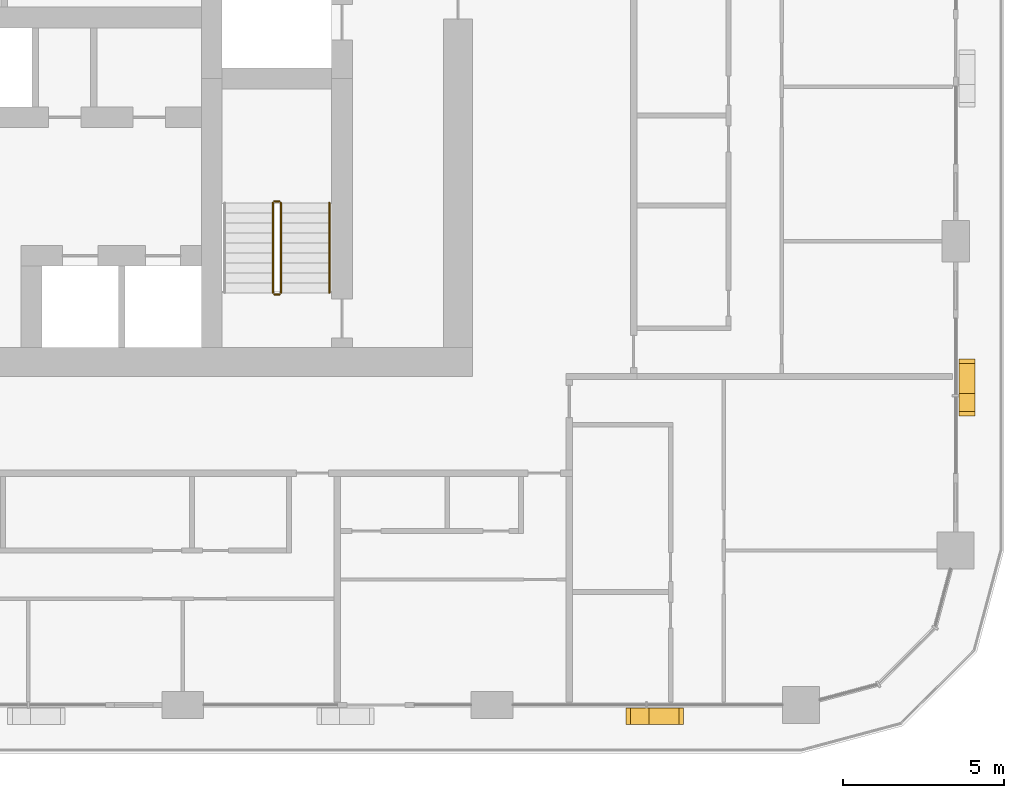
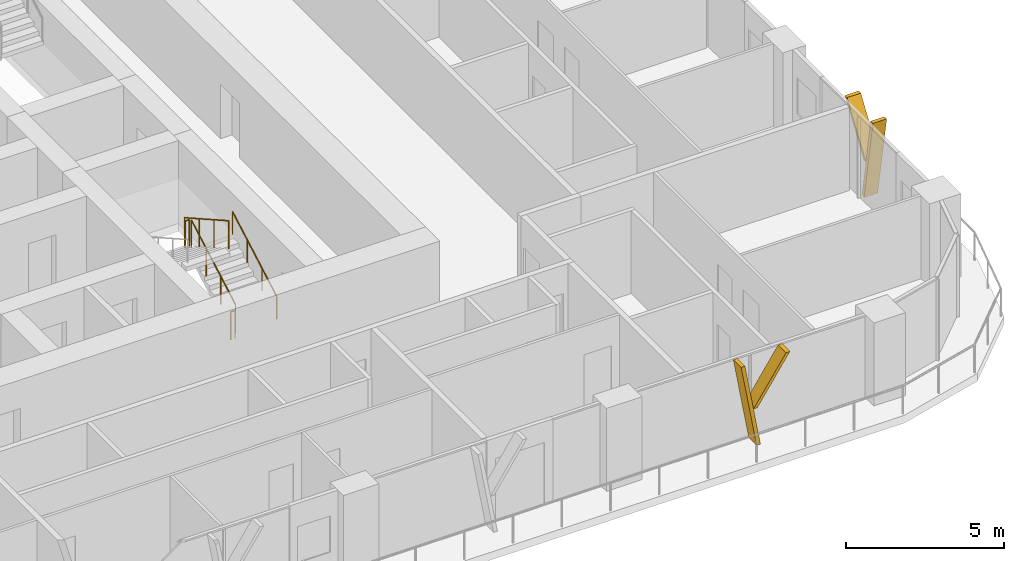
# One storey, part 18 of 21: 5 railings, 4 shading devices.
"""IFC4 building model written with IfcOpenShell, lengths in metres."""

from ifc_helpers import new_model, si_unit, direction, frame, origin, origin_2d, place, context, subcontext, project, spatial, polyline, circle, outline, extrude, material, type_object, element, save


model = new_model("IFC4")

# Units and contexts
model_context = context("Model", 3, precision=1e-05, world=origin(), true_north=direction((0.0, 1.0)))
body_context = subcontext(model_context, "Body", "Model", "MODEL_VIEW")
ifc_project = project(units=[si_unit("LENGTHUNIT", "METRE"), si_unit("AREAUNIT", "SQUARE_METRE"), si_unit("VOLUMEUNIT", "CUBIC_METRE"), si_unit("PLANEANGLEUNIT", "RADIAN"), si_unit("MASSUNIT", "GRAM", prefix="KILO")], contexts=[model_context])

# Site, building, storey
site_placement = place(None, origin())
site = spatial("IfcSite", under=ifc_project, at=site_placement, CompositionType="ELEMENT")
building_placement = place(site_placement, origin())
building = spatial("IfcBuilding", under=site, at=building_placement, Name="Madar Terraces", CompositionType="ELEMENT")
storey_placement = place(building_placement, frame((0.0, 0.0, 89.199951171875)))
storey = spatial("IfcBuildingStorey", under=building, at=storey_placement, Name="L22", CompositionType="ELEMENT", Elevation=89.199951171875)

# Shading devices
ifc_material_1 = material(Name="Aluminium, black anodised", Category="aluminium")
shading_device_type = type_object("IfcShadingDeviceType", Name="Facade fin blade 140 x 500", PredefinedType="USERDEFINED", material=ifc_material_1)
shading_device_1_placement = place(storey_placement, frame((52.72998046875, 4.449951171875, 0.0), z_axis=(0.0, 0.0, 1.0), x_axis=(1.0, 0.0, 0.0)))
element("IfcShadingDevice", 1, at=shading_device_1_placement, inside=storey, type_object=shading_device_type, Name="FIN L22 S5", ObjectType="FIN", PredefinedType="USERDEFINED", context=body_context, shape_type="SweptSolid", body=[
    extrude(outline(polyline([(0.0, 0.0), (0.14013671875, 0.0), (-0.42431640625, 3.199951171875), (-0.564208984375, 3.199951171875), (0.0, 0.0)])), frame((0.0, 0.25, 0.0), z_axis=(0.0, -1.0, 0.0), x_axis=(1.0, 0.0, 0.0)), (0.0, 0.0, 1.0), 0.5),
])
shading_device_2_placement = place(storey_placement, frame((52.6162109375, 4.449951171875, 1.43994140625), z_axis=(0.0, 0.0, 1.0), x_axis=(1.0, 0.0, 0.0)))
element("IfcShadingDevice", 2, at=shading_device_2_placement, inside=storey, type_object=shading_device_type, Name="FIN L22 S5 branch", ObjectType="FIN", PredefinedType="USERDEFINED", context=body_context, shape_type="SweptSolid", body=[
    extrude(outline(polyline([(0.0, 0.0), (0.139892578125, 0.0), (1.32958984375, 1.760009765625), (1.189697265625, 1.760009765625), (0.0, 0.0)])), frame((0.0, 0.25, 0.0), z_axis=(0.0, -1.0, 0.0), x_axis=(1.0, 0.0, 0.0)), (0.0, 0.0, 1.0), 0.5),
])
shading_device_3_placement = place(storey_placement, frame((62.75, 14.330078125, 0.0), z_axis=(0.0, 0.0, 1.0), x_axis=(0.0, 1.0, 0.0)))
element("IfcShadingDevice", 3, at=shading_device_3_placement, inside=storey, type_object=shading_device_type, Name="FIN L22 E1", ObjectType="FIN", PredefinedType="USERDEFINED", context=body_context, shape_type="SweptSolid", body=[
    extrude(outline(polyline([(0.0, 0.0), (0.139892578125, 0.0), (-0.42431640625, 3.199951171875), (-0.564208984375, 3.199951171875), (0.0, 0.0)])), frame((0.0, 0.25, 0.0), z_axis=(0.0, -1.0, 0.0), x_axis=(1.0, 0.0, 0.0)), (0.0, 0.0, 1.0), 0.5),
])
shading_device_4_placement = place(storey_placement, frame((62.75, 14.216064453125, 1.43994140625), z_axis=(0.0, 0.0, 1.0), x_axis=(0.0, 1.0, 0.0)))
element("IfcShadingDevice", 4, at=shading_device_4_placement, inside=storey, type_object=shading_device_type, Name="FIN L22 E1 branch", ObjectType="FIN", PredefinedType="USERDEFINED", context=body_context, shape_type="SweptSolid", body=[
    extrude(outline(polyline([(0.0, 0.0), (0.14013671875, 0.0), (1.32958984375, 1.760009765625), (1.189697265625, 1.760009765625), (0.0, 0.0)])), frame((0.0, 0.25, 0.0), z_axis=(0.0, -1.0, 0.0), x_axis=(1.0, 0.0, 0.0)), (0.0, 0.0, 1.0), 0.5),
])

# Railings
ifc_material_2 = material(Name="Stainless steel railing", Category="steel")
railing_type_1 = type_object("IfcRailingType", Name="Stair guard 1100", PredefinedType="GUARDRAIL", material=ifc_material_2)
railing_1_placement = place(storey_placement, frame((41.449951171875, 17.60009765625, 0.175048828125)))
element("IfcRailing", 5, at=railing_1_placement, inside=storey, type_object=railing_type_1, Name="L22 ST3 stair guard 1", PredefinedType="GUARDRAIL", context=body_context, shape_type="SweptSolid", body=[
    extrude(circle(Radius=0.02392578125, at=origin_2d()), frame((0.0, 0.0, 1.076171875), z_axis=(0.0, 0.870815363784, 0.491610213684), x_axis=(-1.0, 0.0, 0.0)), (0.0, 0.0, 1.0), 3.20361328125),
    extrude(circle(Radius=0.02099609375, at=origin_2d()), origin(), (0.0, 0.0, 1.0), 1.052001953125),
    extrude(circle(Radius=0.02099609375, at=origin_2d()), frame((0.0, 0.929931640625, 0.52490234375)), (0.0, 0.0, 1.0), 1.052001953125),
    extrude(circle(Radius=0.02099609375, at=origin_2d()), frame((0.0, 1.85986328125, 1.050048828125)), (0.0, 0.0, 1.0), 1.052001953125),
    extrude(circle(Radius=0.02099609375, at=origin_2d()), frame((0.0, 2.789794921875, 1.574951171875)), (0.0, 0.0, 1.0), 1.052001953125),
])
railing_2_placement = place(storey_placement, frame((41.39990234375, 20.43994140625, 1.75)))
element("IfcRailing", 6, at=railing_2_placement, inside=storey, type_object=railing_type_1, Name="L22 ST3 stair guard 2", PredefinedType="GUARDRAIL", context=body_context, shape_type="SweptSolid", body=[
    extrude(circle(Radius=0.02392578125, at=origin_2d()), frame((0.0, 0.0, 1.076171875), z_axis=(-1.0, 0.0, 0.0), x_axis=(0.0, -1.0, 0.0)), (0.0, 0.0, 1.0), 0.14990234375),
    extrude(circle(Radius=0.02099609375, at=origin_2d()), origin(), (0.0, 0.0, 1.0), 1.052001953125),
    extrude(circle(Radius=0.02099609375, at=origin_2d()), frame((-0.14990234375, 0.0, 0.0)), (0.0, 0.0, 1.0), 1.052001953125),
])
railing_3_placement = place(storey_placement, frame((41.199951171875, 20.389892578125, 1.925048828125)))
element("IfcRailing", 7, at=railing_3_placement, inside=storey, type_object=railing_type_1, Name="L22 ST3 stair guard 3", PredefinedType="GUARDRAIL", context=body_context, shape_type="SweptSolid", body=[
    extrude(circle(Radius=0.02392578125, at=origin_2d()), frame((0.0, 0.0, 1.076171875), z_axis=(0.0, -0.870815363784, 0.491610213684), x_axis=(1.0, 0.0, 0.0)), (0.0, 0.0, 1.0), 3.20361328125),
    extrude(circle(Radius=0.02099609375, at=origin_2d()), origin(), (0.0, 0.0, 1.0), 1.052001953125),
    extrude(circle(Radius=0.02099609375, at=origin_2d()), frame((0.0, -0.929931640625, 0.52490234375)), (0.0, 0.0, 1.0), 1.052001953125),
    extrude(circle(Radius=0.02099609375, at=origin_2d()), frame((0.0, -1.85986328125, 1.050048828125)), (0.0, 0.0, 1.0), 1.052001953125),
    extrude(circle(Radius=0.02099609375, at=origin_2d()), frame((0.0, -2.789794921875, 1.574951171875)), (0.0, 0.0, 1.0), 1.052001953125),
])
railing_4_placement = place(storey_placement, frame((41.39990234375, 17.550048828125, 0.0)))
element("IfcRailing", 8, at=railing_4_placement, inside=storey, type_object=railing_type_1, Name="L22 ST3 stair guard 4", PredefinedType="GUARDRAIL", context=body_context, shape_type="SweptSolid", body=[
    extrude(circle(Radius=0.02392578125, at=origin_2d()), frame((0.0, 0.0, 1.076171875), z_axis=(-1.0, 0.0, 0.0), x_axis=(0.0, -1.0, 0.0)), (0.0, 0.0, 1.0), 0.14990234375),
    extrude(circle(Radius=0.02099609375, at=origin_2d()), origin(), (0.0, 0.0, 1.0), 1.052001953125),
    extrude(circle(Radius=0.02099609375, at=origin_2d()), frame((-0.14990234375, 0.0, 0.0)), (0.0, 0.0, 1.0), 1.052001953125),
])
ifc_material_3 = material(Name="Stainless steel railing", Category="steel")
railing_type_2 = type_object("IfcRailingType", Name="Stair handrail 900", PredefinedType="HANDRAIL", material=ifc_material_3)
railing_5_placement = place(storey_placement, frame((42.949951171875, 17.60009765625, 0.175048828125)))
element("IfcRailing", 9, at=railing_5_placement, inside=storey, type_object=railing_type_2, Name="L22 ST3 stair handrail 1", PredefinedType="HANDRAIL", context=body_context, shape_type="SweptSolid", body=[
    extrude(circle(Radius=0.02392578125, at=origin_2d()), frame((0.0, 0.0, 0.8759765625), z_axis=(0.0, 0.870815363784, 0.491610213684), x_axis=(-1.0, 0.0, 0.0)), (0.0, 0.0, 1.0), 3.20361328125),
    extrude(circle(Radius=0.02099609375, at=origin_2d()), origin(), (0.0, 0.0, 1.0), 0.851806640625),
    extrude(circle(Radius=0.02099609375, at=origin_2d()), frame((0.0, 0.929931640625, 0.52490234375)), (0.0, 0.0, 1.0), 0.851806640625),
    extrude(circle(Radius=0.02099609375, at=origin_2d()), frame((0.0, 1.85986328125, 1.050048828125)), (0.0, 0.0, 1.0), 0.851806640625),
    extrude(circle(Radius=0.02099609375, at=origin_2d()), frame((0.0, 2.789794921875, 1.574951171875)), (0.0, 0.0, 1.0), 0.851806640625),
])

save(model, "model.ifc")
